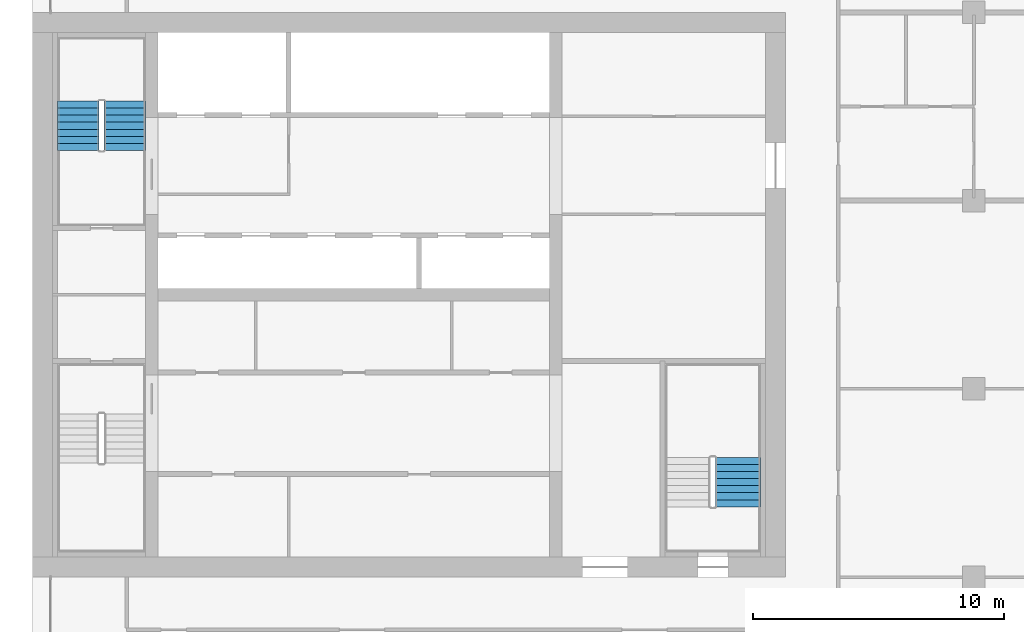
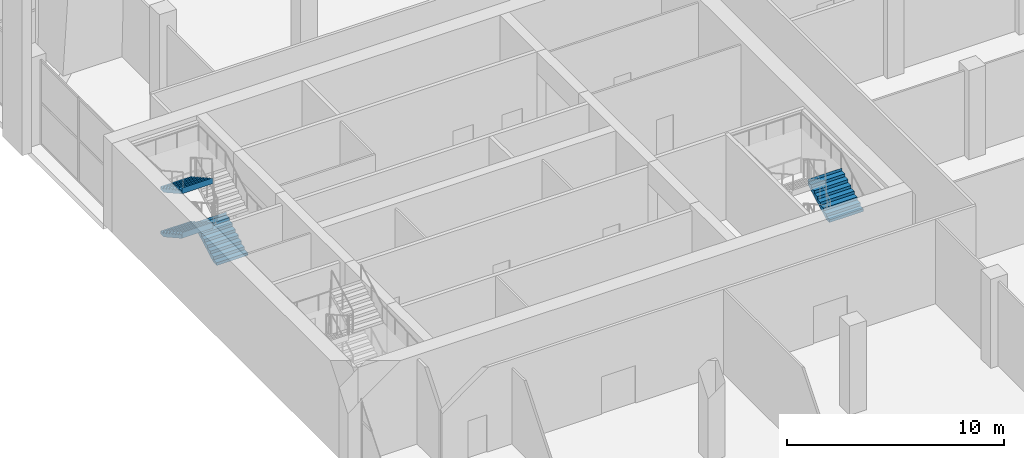
# One storey, part 15 of 19: 4 stair flights, 2 elements without a shape of their own.
"""IFC4 building model written with IfcOpenShell, lengths in metres."""

from ifc_helpers import new_model, si_unit, direction, frame, origin, place, context, subcontext, project, spatial, polyline, outline, extrude, material, type_object, element, aggregate, save


model = new_model("IFC4")

# Units and contexts
model_context = context("Model", 3, precision=1e-05, world=origin(), true_north=direction((0.0, 1.0)))
body_context = subcontext(model_context, "Body", "Model", "MODEL_VIEW")
ifc_project = project(units=[si_unit("LENGTHUNIT", "METRE"), si_unit("AREAUNIT", "SQUARE_METRE"), si_unit("VOLUMEUNIT", "CUBIC_METRE"), si_unit("PLANEANGLEUNIT", "RADIAN"), si_unit("MASSUNIT", "GRAM", prefix="KILO")], contexts=[model_context])

# Site, building, storey
site_placement = place(None, origin())
site = spatial("IfcSite", under=ifc_project, at=site_placement, CompositionType="ELEMENT")
building_placement = place(site_placement, origin())
building = spatial("IfcBuilding", under=site, at=building_placement, Name="Tamorin Gate", CompositionType="ELEMENT")
storey_placement = place(building_placement, frame((0.0, 0.0, 174.199951171875)))
storey = spatial("IfcBuildingStorey", under=building, at=storey_placement, Name="L42", CompositionType="ELEMENT", Elevation=174.199951171875)

# Stair, stair flights
ifc_material = material(Name="Concrete C40/50", Category="concrete")
stair_type = type_object("IfcStairType", Name="Exit stair", PredefinedType="HALF_TURN_STAIR", material=ifc_material)
stair_1_placement = place(storey_placement, origin())
stair_1 = element("IfcStair", 1, at=stair_1_placement, inside=storey, type_object=stair_type, Name="L42 stair ST2", PredefinedType="HALF_TURN_STAIR")
stair_flight_type = type_object("IfcStairFlightType", Name="Exit stair flight", PredefinedType="STRAIGHT", material=ifc_material)
stair_flight_1_placement = place(storey_placement, frame((33.675048828125, 77.0, 0.0), z_axis=(0.0, 0.0, 1.0), x_axis=(0.0, 1.0, 0.0)))
stair_flight_1 = element("IfcStairFlight", 2, at=stair_flight_1_placement, type_object=stair_flight_type, Name="ST2 flight 1", NumberOfRisers=8, NumberOfTreads=7, PredefinedType="STRAIGHT", RiserHeight=0.15625, TreadLength=0.28, context=body_context, shape_type="SweptSolid", body=[
    extrude(outline(polyline([(-0.00048828125, 0.0), (-0.00048828125, 0.00146484375), (-0.00048828125, 0.003173828125), (-0.00048828125, 0.004638671875), (-0.00048828125, 0.006103515625), (-0.00048828125, 0.0078125), (-0.00048828125, 0.00927734375), (-0.00048828125, 0.0107421875), (-0.00048828125, 0.012451171875), (-0.00048828125, 0.013916015625), (-0.00048828125, 0.015380859375), (-0.00048828125, 0.01708984375), (-0.00048828125, 0.0185546875), (-0.00048828125, 0.02001953125), (-0.00048828125, 0.021728515625), (-0.00048828125, 0.023193359375), (-0.00048828125, 0.024658203125), (-0.00048828125, 0.0263671875), (-0.00048828125, 0.02783203125), (-0.00048828125, 0.029296875), (-0.00048828125, 0.031005859375), (-0.00048828125, 0.032470703125), (-0.00048828125, 0.033935546875), (-0.00048828125, 0.03564453125), (-0.00048828125, 0.037109375), (-0.00048828125, 0.03857421875), (-0.00048828125, 0.040283203125), (-0.00048828125, 0.041748046875), (-0.00048828125, 0.043212890625), (-0.00048828125, 0.044921875), (-0.00048828125, 0.04638671875), (-0.00048828125, 0.0478515625), (-0.00048828125, 0.049560546875), (-0.00048828125, 0.051025390625), (-0.00048828125, 0.052490234375), (-0.00048828125, 0.05419921875), (-0.00048828125, 0.0556640625), (-0.00048828125, 0.05712890625), (-0.00048828125, 0.058837890625), (-0.00048828125, 0.060302734375), (-0.00048828125, 0.061767578125), (-0.00048828125, 0.0634765625), (-0.00048828125, 0.06494140625), (-0.00048828125, 0.06640625), (-0.00048828125, 0.068115234375), (-0.00048828125, 0.069580078125), (-0.00048828125, 0.071044921875), (-0.00048828125, 0.07275390625), (-0.00048828125, 0.07421875), (-0.00048828125, 0.07568359375), (-0.00048828125, 0.077392578125), (-0.00048828125, 0.078857421875), (-0.00048828125, 0.08056640625), (-0.00048828125, 0.08203125), (-0.00048828125, 0.08349609375), (-0.00048828125, 0.085205078125), (-0.00048828125, 0.086669921875), (-0.00048828125, 0.088134765625), (-0.00048828125, 0.08984375), (-0.00048828125, 0.09130859375), (-0.00048828125, 0.0927734375), (-0.00048828125, 0.094482421875), (-0.00048828125, 0.095947265625), (-0.00048828125, 0.097412109375), (-0.00048828125, 0.09912109375), (-0.00048828125, 0.1005859375), (-0.00048828125, 0.10205078125), (-0.00048828125, 0.103759765625), (-0.00048828125, 0.105224609375), (-0.00048828125, 0.106689453125), (-0.00048828125, 0.1083984375), (-0.00048828125, 0.10986328125), (-0.00048828125, 0.111328125), (-0.00048828125, 0.113037109375), (-0.00048828125, 0.114501953125), (-0.00048828125, 0.115966796875), (-0.00048828125, 0.11767578125), (-0.00048828125, 0.119140625), (-0.00048828125, 0.12060546875), (-0.00048828125, 0.122314453125), (-0.00048828125, 0.123779296875), (-0.00048828125, 0.125244140625), (-0.00048828125, 0.126953125), (-0.00048828125, 0.12841796875), (-0.00048828125, 0.1298828125), (-0.00048828125, 0.131591796875), (-0.00048828125, 0.133056640625), (-0.00048828125, 0.134521484375), (-0.00048828125, 0.13623046875), (-0.00048828125, 0.1376953125), (-0.00048828125, 0.13916015625), (-0.00048828125, 0.140869140625), (-0.00048828125, 0.142333984375), (-0.00048828125, 0.143798828125), (-0.00048828125, 0.1455078125), (-0.00048828125, 0.14697265625), (-0.00048828125, 0.1484375), (-0.00048828125, 0.150146484375), (-0.00048828125, 0.151611328125), (-0.00048828125, 0.153076171875), (-0.00048828125, 0.15478515625), (-0.00048828125, 0.15625), (0.280029296875, 0.15625), (0.280029296875, 0.3125), (0.56005859375, 0.3125), (0.56005859375, 0.46875), (0.840087890625, 0.46875), (0.840087890625, 0.625), (1.1201171875, 0.625), (1.1201171875, 0.78125), (1.39990234375, 0.78125), (1.39990234375, 0.9375), (1.679931640625, 0.9375), (1.679931640625, 1.09375), (1.9599609375, 1.09375), (1.9599609375, 1.25), (1.96044921875, 1.25), (1.96044921875, 1.246826171875), (1.96044921875, 1.243408203125), (1.96044921875, 1.240234375), (1.96044921875, 1.237060546875), (1.96044921875, 1.23388671875), (1.96044921875, 1.23046875), (1.96044921875, 1.227294921875), (1.96044921875, 1.22412109375), (1.96044921875, 1.220703125), (1.96044921875, 1.217529296875), (1.96044921875, 1.21435546875), (1.96044921875, 1.2109375), (1.96044921875, 1.207763671875), (1.96044921875, 1.20458984375), (1.96044921875, 1.201416015625), (1.96044921875, 1.197998046875), (1.96044921875, 1.19482421875), (1.96044921875, 1.191650390625), (1.96044921875, 1.188232421875), (1.96044921875, 1.18505859375), (1.96044921875, 1.181884765625), (1.96044921875, 1.178466796875), (1.96044921875, 1.17529296875), (1.96044921875, 1.172119140625), (1.96044921875, 1.1689453125), (1.96044921875, 1.16552734375), (1.96044921875, 1.162353515625), (1.96044921875, 1.1591796875), (1.96044921875, 1.15576171875), (1.96044921875, 1.152587890625), (1.96044921875, 1.1494140625), (1.96044921875, 1.14599609375), (1.96044921875, 1.142822265625), (1.96044921875, 1.1396484375), (1.96044921875, 1.136474609375), (1.96044921875, 1.133056640625), (1.96044921875, 1.1298828125), (1.96044921875, 1.126708984375), (1.96044921875, 1.123291015625), (1.96044921875, 1.1201171875), (1.96044921875, 1.116943359375), (1.96044921875, 1.113525390625), (1.96044921875, 1.1103515625), (1.96044921875, 1.107177734375), (1.96044921875, 1.10400390625), (1.96044921875, 1.1005859375), (1.96044921875, 1.097412109375), (1.96044921875, 1.09423828125), (1.96044921875, 1.0908203125), (1.96044921875, 1.087646484375), (1.96044921875, 1.08447265625), (1.96044921875, 1.0810546875), (1.96044921875, 1.077880859375), (1.96044921875, 1.07470703125), (1.96044921875, 1.071533203125), (1.96044921875, 1.068115234375), (1.96044921875, 1.06494140625), (1.96044921875, 1.061767578125), (1.96044921875, 1.058349609375), (1.96044921875, 1.05517578125), (1.96044921875, 1.052001953125), (1.96044921875, 1.048828125), (1.96044921875, 1.04541015625), (1.96044921875, 1.042236328125), (1.96044921875, 1.0390625), (1.96044921875, 1.03564453125), (1.96044921875, 1.032470703125), (1.96044921875, 1.029296875), (1.96044921875, 1.02587890625), (1.96044921875, 1.022705078125), (1.96044921875, 1.01953125), (1.96044921875, 1.016357421875), (1.96044921875, 1.012939453125), (1.96044921875, 1.009765625), (1.96044921875, 1.006591796875), (1.96044921875, 1.003173828125), (1.96044921875, 1.0), (1.96044921875, 0.996826171875), (1.96044921875, 0.993408203125), (1.96044921875, 0.990234375), (1.96044921875, 0.987060546875), (1.96044921875, 0.98388671875), (1.96044921875, 0.98046875), (1.96044921875, 0.977294921875), (1.96044921875, 0.97412109375), (1.96044921875, 0.970703125), (1.96044921875, 0.967529296875), (1.96044921875, 0.96435546875), (1.96044921875, 0.9609375), (1.96044921875, 0.957763671875), (1.96044921875, 0.95458984375), (1.96044921875, 0.951416015625), (1.96044921875, 0.947998046875), (1.96044921875, 0.94482421875), (1.96044921875, 0.941650390625), (1.96044921875, 0.938232421875), (1.96044921875, 0.93505859375), (1.96044921875, 0.931884765625), (1.96044921875, 0.928466796875), (1.96044921875, 0.92529296875), (1.96044921875, 0.922119140625), (1.9599609375, 0.922119140625), (0.3076171875, 0.0), (-0.00048828125, 0.0)])), frame((0.0, 0.824951171875, 0.0), z_axis=(0.0, -1.0, 0.0), x_axis=(1.0, 0.0, 0.0)), (0.0, 0.0, 1.0), 1.64990234375),
])
stair_flight_2_placement = place(storey_placement, frame((31.824951171875, 78.9599609375, 1.25), z_axis=(0.0, 0.0, 1.0), x_axis=(0.0, -1.0, 0.0)))
stair_flight_2 = element("IfcStairFlight", 3, at=stair_flight_2_placement, type_object=stair_flight_type, Name="ST2 flight 2", NumberOfRisers=8, NumberOfTreads=7, PredefinedType="STRAIGHT", RiserHeight=0.15625, TreadLength=0.28, context=body_context, shape_type="SweptSolid", body=[
    extrude(outline(polyline([(-0.00048828125, 0.0), (-0.00048828125, 0.00146484375), (-0.00048828125, 0.003173828125), (-0.00048828125, 0.004638671875), (-0.00048828125, 0.006103515625), (-0.00048828125, 0.0078125), (-0.00048828125, 0.00927734375), (-0.00048828125, 0.0107421875), (-0.00048828125, 0.012451171875), (-0.00048828125, 0.013916015625), (-0.00048828125, 0.015380859375), (-0.00048828125, 0.01708984375), (-0.00048828125, 0.0185546875), (-0.00048828125, 0.02001953125), (-0.00048828125, 0.021728515625), (-0.00048828125, 0.023193359375), (-0.00048828125, 0.024658203125), (-0.00048828125, 0.0263671875), (-0.00048828125, 0.02783203125), (-0.00048828125, 0.029296875), (-0.00048828125, 0.031005859375), (-0.00048828125, 0.032470703125), (-0.00048828125, 0.033935546875), (-0.00048828125, 0.03564453125), (-0.00048828125, 0.037109375), (-0.00048828125, 0.03857421875), (-0.00048828125, 0.040283203125), (-0.00048828125, 0.041748046875), (-0.00048828125, 0.043212890625), (-0.00048828125, 0.044921875), (-0.00048828125, 0.04638671875), (-0.00048828125, 0.0478515625), (-0.00048828125, 0.049560546875), (-0.00048828125, 0.051025390625), (-0.00048828125, 0.052490234375), (-0.00048828125, 0.05419921875), (-0.00048828125, 0.0556640625), (-0.00048828125, 0.05712890625), (-0.00048828125, 0.058837890625), (-0.00048828125, 0.060302734375), (-0.00048828125, 0.061767578125), (-0.00048828125, 0.0634765625), (-0.00048828125, 0.06494140625), (-0.00048828125, 0.06640625), (-0.00048828125, 0.068115234375), (-0.00048828125, 0.069580078125), (-0.00048828125, 0.071044921875), (-0.00048828125, 0.07275390625), (-0.00048828125, 0.07421875), (-0.00048828125, 0.07568359375), (-0.00048828125, 0.077392578125), (-0.00048828125, 0.078857421875), (-0.00048828125, 0.08056640625), (-0.00048828125, 0.08203125), (-0.00048828125, 0.08349609375), (-0.00048828125, 0.085205078125), (-0.00048828125, 0.086669921875), (-0.00048828125, 0.088134765625), (-0.00048828125, 0.08984375), (-0.00048828125, 0.09130859375), (-0.00048828125, 0.0927734375), (-0.00048828125, 0.094482421875), (-0.00048828125, 0.095947265625), (-0.00048828125, 0.097412109375), (-0.00048828125, 0.09912109375), (-0.00048828125, 0.1005859375), (-0.00048828125, 0.10205078125), (-0.00048828125, 0.103759765625), (-0.00048828125, 0.105224609375), (-0.00048828125, 0.106689453125), (-0.00048828125, 0.1083984375), (-0.00048828125, 0.10986328125), (-0.00048828125, 0.111328125), (-0.00048828125, 0.113037109375), (-0.00048828125, 0.114501953125), (-0.00048828125, 0.115966796875), (-0.00048828125, 0.11767578125), (-0.00048828125, 0.119140625), (-0.00048828125, 0.12060546875), (-0.00048828125, 0.122314453125), (-0.00048828125, 0.123779296875), (-0.00048828125, 0.125244140625), (-0.00048828125, 0.126953125), (-0.00048828125, 0.12841796875), (-0.00048828125, 0.1298828125), (-0.00048828125, 0.131591796875), (-0.00048828125, 0.133056640625), (-0.00048828125, 0.134521484375), (-0.00048828125, 0.13623046875), (-0.00048828125, 0.1376953125), (-0.00048828125, 0.13916015625), (-0.00048828125, 0.140869140625), (-0.00048828125, 0.142333984375), (-0.00048828125, 0.143798828125), (-0.00048828125, 0.1455078125), (-0.00048828125, 0.14697265625), (-0.00048828125, 0.1484375), (-0.00048828125, 0.150146484375), (-0.00048828125, 0.151611328125), (-0.00048828125, 0.153076171875), (-0.00048828125, 0.15478515625), (-0.00048828125, 0.15625), (0.280029296875, 0.15625), (0.280029296875, 0.3125), (0.56005859375, 0.3125), (0.56005859375, 0.46875), (0.840087890625, 0.46875), (0.840087890625, 0.625), (1.1201171875, 0.625), (1.1201171875, 0.78125), (1.39990234375, 0.78125), (1.39990234375, 0.9375), (1.679931640625, 0.9375), (1.679931640625, 1.09375), (1.9599609375, 1.09375), (1.9599609375, 1.25), (1.96044921875, 1.25), (1.96044921875, 1.246826171875), (1.96044921875, 1.243408203125), (1.96044921875, 1.240234375), (1.96044921875, 1.237060546875), (1.96044921875, 1.23388671875), (1.96044921875, 1.23046875), (1.96044921875, 1.227294921875), (1.96044921875, 1.22412109375), (1.96044921875, 1.220703125), (1.96044921875, 1.217529296875), (1.96044921875, 1.21435546875), (1.96044921875, 1.2109375), (1.96044921875, 1.207763671875), (1.96044921875, 1.20458984375), (1.96044921875, 1.201416015625), (1.96044921875, 1.197998046875), (1.96044921875, 1.19482421875), (1.96044921875, 1.191650390625), (1.96044921875, 1.188232421875), (1.96044921875, 1.18505859375), (1.96044921875, 1.181884765625), (1.96044921875, 1.178466796875), (1.96044921875, 1.17529296875), (1.96044921875, 1.172119140625), (1.96044921875, 1.1689453125), (1.96044921875, 1.16552734375), (1.96044921875, 1.162353515625), (1.96044921875, 1.1591796875), (1.96044921875, 1.15576171875), (1.96044921875, 1.152587890625), (1.96044921875, 1.1494140625), (1.96044921875, 1.14599609375), (1.96044921875, 1.142822265625), (1.96044921875, 1.1396484375), (1.96044921875, 1.136474609375), (1.96044921875, 1.133056640625), (1.96044921875, 1.1298828125), (1.96044921875, 1.126708984375), (1.96044921875, 1.123291015625), (1.96044921875, 1.1201171875), (1.96044921875, 1.116943359375), (1.96044921875, 1.113525390625), (1.96044921875, 1.1103515625), (1.96044921875, 1.107177734375), (1.96044921875, 1.10400390625), (1.96044921875, 1.1005859375), (1.96044921875, 1.097412109375), (1.96044921875, 1.09423828125), (1.96044921875, 1.0908203125), (1.96044921875, 1.087646484375), (1.96044921875, 1.08447265625), (1.96044921875, 1.0810546875), (1.96044921875, 1.077880859375), (1.96044921875, 1.07470703125), (1.96044921875, 1.071533203125), (1.96044921875, 1.068115234375), (1.96044921875, 1.06494140625), (1.96044921875, 1.061767578125), (1.96044921875, 1.058349609375), (1.96044921875, 1.05517578125), (1.96044921875, 1.052001953125), (1.96044921875, 1.048828125), (1.96044921875, 1.04541015625), (1.96044921875, 1.042236328125), (1.96044921875, 1.0390625), (1.96044921875, 1.03564453125), (1.96044921875, 1.032470703125), (1.96044921875, 1.029296875), (1.96044921875, 1.02587890625), (1.96044921875, 1.022705078125), (1.96044921875, 1.01953125), (1.96044921875, 1.016357421875), (1.96044921875, 1.012939453125), (1.96044921875, 1.009765625), (1.96044921875, 1.006591796875), (1.96044921875, 1.003173828125), (1.96044921875, 1.0), (1.96044921875, 0.996826171875), (1.96044921875, 0.993408203125), (1.96044921875, 0.990234375), (1.96044921875, 0.987060546875), (1.96044921875, 0.98388671875), (1.96044921875, 0.98046875), (1.96044921875, 0.977294921875), (1.96044921875, 0.97412109375), (1.96044921875, 0.970703125), (1.96044921875, 0.967529296875), (1.96044921875, 0.96435546875), (1.96044921875, 0.9609375), (1.96044921875, 0.957763671875), (1.96044921875, 0.95458984375), (1.96044921875, 0.951416015625), (1.96044921875, 0.947998046875), (1.96044921875, 0.94482421875), (1.96044921875, 0.941650390625), (1.96044921875, 0.938232421875), (1.96044921875, 0.93505859375), (1.96044921875, 0.931884765625), (1.96044921875, 0.928466796875), (1.96044921875, 0.92529296875), (1.96044921875, 0.922119140625), (1.9599609375, 0.922119140625), (0.3076171875, 0.0), (-0.00048828125, 0.0)])), frame((0.0, 0.824951171875, 0.0), z_axis=(0.0, -1.0, 0.0), x_axis=(1.0, 0.0, 0.0)), (0.0, 0.0, 1.0), 1.64990234375),
])
stair_flight_3_placement = place(storey_placement, frame((31.824951171875, 78.9599609375, 3.75), z_axis=(0.0, 0.0, 1.0), x_axis=(0.0, -1.0, 0.0)))
stair_flight_3 = element("IfcStairFlight", 4, at=stair_flight_3_placement, type_object=stair_flight_type, Name="ST2 flight 4", NumberOfRisers=8, NumberOfTreads=7, PredefinedType="STRAIGHT", RiserHeight=0.15625, TreadLength=0.28, context=body_context, shape_type="SweptSolid", body=[
    extrude(outline(polyline([(-0.00048828125, 0.0), (-0.00048828125, 0.00146484375), (-0.00048828125, 0.003173828125), (-0.00048828125, 0.004638671875), (-0.00048828125, 0.006103515625), (-0.00048828125, 0.0078125), (-0.00048828125, 0.00927734375), (-0.00048828125, 0.0107421875), (-0.00048828125, 0.012451171875), (-0.00048828125, 0.013916015625), (-0.00048828125, 0.015380859375), (-0.00048828125, 0.01708984375), (-0.00048828125, 0.0185546875), (-0.00048828125, 0.02001953125), (-0.00048828125, 0.021728515625), (-0.00048828125, 0.023193359375), (-0.00048828125, 0.024658203125), (-0.00048828125, 0.0263671875), (-0.00048828125, 0.02783203125), (-0.00048828125, 0.029296875), (-0.00048828125, 0.031005859375), (-0.00048828125, 0.032470703125), (-0.00048828125, 0.033935546875), (-0.00048828125, 0.03564453125), (-0.00048828125, 0.037109375), (-0.00048828125, 0.03857421875), (-0.00048828125, 0.040283203125), (-0.00048828125, 0.041748046875), (-0.00048828125, 0.043212890625), (-0.00048828125, 0.044921875), (-0.00048828125, 0.04638671875), (-0.00048828125, 0.0478515625), (-0.00048828125, 0.049560546875), (-0.00048828125, 0.051025390625), (-0.00048828125, 0.052490234375), (-0.00048828125, 0.05419921875), (-0.00048828125, 0.0556640625), (-0.00048828125, 0.05712890625), (-0.00048828125, 0.058837890625), (-0.00048828125, 0.060302734375), (-0.00048828125, 0.061767578125), (-0.00048828125, 0.0634765625), (-0.00048828125, 0.06494140625), (-0.00048828125, 0.06640625), (-0.00048828125, 0.068115234375), (-0.00048828125, 0.069580078125), (-0.00048828125, 0.071044921875), (-0.00048828125, 0.07275390625), (-0.00048828125, 0.07421875), (-0.00048828125, 0.07568359375), (-0.00048828125, 0.077392578125), (-0.00048828125, 0.078857421875), (-0.00048828125, 0.08056640625), (-0.00048828125, 0.08203125), (-0.00048828125, 0.08349609375), (-0.00048828125, 0.085205078125), (-0.00048828125, 0.086669921875), (-0.00048828125, 0.088134765625), (-0.00048828125, 0.08984375), (-0.00048828125, 0.09130859375), (-0.00048828125, 0.0927734375), (-0.00048828125, 0.094482421875), (-0.00048828125, 0.095947265625), (-0.00048828125, 0.097412109375), (-0.00048828125, 0.09912109375), (-0.00048828125, 0.1005859375), (-0.00048828125, 0.10205078125), (-0.00048828125, 0.103759765625), (-0.00048828125, 0.105224609375), (-0.00048828125, 0.106689453125), (-0.00048828125, 0.1083984375), (-0.00048828125, 0.10986328125), (-0.00048828125, 0.111328125), (-0.00048828125, 0.113037109375), (-0.00048828125, 0.114501953125), (-0.00048828125, 0.115966796875), (-0.00048828125, 0.11767578125), (-0.00048828125, 0.119140625), (-0.00048828125, 0.12060546875), (-0.00048828125, 0.122314453125), (-0.00048828125, 0.123779296875), (-0.00048828125, 0.125244140625), (-0.00048828125, 0.126953125), (-0.00048828125, 0.12841796875), (-0.00048828125, 0.1298828125), (-0.00048828125, 0.131591796875), (-0.00048828125, 0.133056640625), (-0.00048828125, 0.134521484375), (-0.00048828125, 0.13623046875), (-0.00048828125, 0.1376953125), (-0.00048828125, 0.13916015625), (-0.00048828125, 0.140869140625), (-0.00048828125, 0.142333984375), (-0.00048828125, 0.143798828125), (-0.00048828125, 0.1455078125), (-0.00048828125, 0.14697265625), (-0.00048828125, 0.1484375), (-0.00048828125, 0.150146484375), (-0.00048828125, 0.151611328125), (-0.00048828125, 0.153076171875), (-0.00048828125, 0.15478515625), (-0.00048828125, 0.15625), (0.280029296875, 0.15625), (0.280029296875, 0.3125), (0.56005859375, 0.3125), (0.56005859375, 0.46875), (0.840087890625, 0.46875), (0.840087890625, 0.625), (1.1201171875, 0.625), (1.1201171875, 0.78125), (1.39990234375, 0.78125), (1.39990234375, 0.9375), (1.679931640625, 0.9375), (1.679931640625, 1.09375), (1.9599609375, 1.09375), (1.9599609375, 1.25), (1.96044921875, 1.25), (1.96044921875, 1.246826171875), (1.96044921875, 1.243408203125), (1.96044921875, 1.240234375), (1.96044921875, 1.237060546875), (1.96044921875, 1.23388671875), (1.96044921875, 1.23046875), (1.96044921875, 1.227294921875), (1.96044921875, 1.22412109375), (1.96044921875, 1.220703125), (1.96044921875, 1.217529296875), (1.96044921875, 1.21435546875), (1.96044921875, 1.2109375), (1.96044921875, 1.207763671875), (1.96044921875, 1.20458984375), (1.96044921875, 1.201416015625), (1.96044921875, 1.197998046875), (1.96044921875, 1.19482421875), (1.96044921875, 1.191650390625), (1.96044921875, 1.188232421875), (1.96044921875, 1.18505859375), (1.96044921875, 1.181884765625), (1.96044921875, 1.178466796875), (1.96044921875, 1.17529296875), (1.96044921875, 1.172119140625), (1.96044921875, 1.1689453125), (1.96044921875, 1.16552734375), (1.96044921875, 1.162353515625), (1.96044921875, 1.1591796875), (1.96044921875, 1.15576171875), (1.96044921875, 1.152587890625), (1.96044921875, 1.1494140625), (1.96044921875, 1.14599609375), (1.96044921875, 1.142822265625), (1.96044921875, 1.1396484375), (1.96044921875, 1.136474609375), (1.96044921875, 1.133056640625), (1.96044921875, 1.1298828125), (1.96044921875, 1.126708984375), (1.96044921875, 1.123291015625), (1.96044921875, 1.1201171875), (1.96044921875, 1.116943359375), (1.96044921875, 1.113525390625), (1.96044921875, 1.1103515625), (1.96044921875, 1.107177734375), (1.96044921875, 1.10400390625), (1.96044921875, 1.1005859375), (1.96044921875, 1.097412109375), (1.96044921875, 1.09423828125), (1.96044921875, 1.0908203125), (1.96044921875, 1.087646484375), (1.96044921875, 1.08447265625), (1.96044921875, 1.0810546875), (1.96044921875, 1.077880859375), (1.96044921875, 1.07470703125), (1.96044921875, 1.071533203125), (1.96044921875, 1.068115234375), (1.96044921875, 1.06494140625), (1.96044921875, 1.061767578125), (1.96044921875, 1.058349609375), (1.96044921875, 1.05517578125), (1.96044921875, 1.052001953125), (1.96044921875, 1.048828125), (1.96044921875, 1.04541015625), (1.96044921875, 1.042236328125), (1.96044921875, 1.0390625), (1.96044921875, 1.03564453125), (1.96044921875, 1.032470703125), (1.96044921875, 1.029296875), (1.96044921875, 1.02587890625), (1.96044921875, 1.022705078125), (1.96044921875, 1.01953125), (1.96044921875, 1.016357421875), (1.96044921875, 1.012939453125), (1.96044921875, 1.009765625), (1.96044921875, 1.006591796875), (1.96044921875, 1.003173828125), (1.96044921875, 1.0), (1.96044921875, 0.996826171875), (1.96044921875, 0.993408203125), (1.96044921875, 0.990234375), (1.96044921875, 0.987060546875), (1.96044921875, 0.98388671875), (1.96044921875, 0.98046875), (1.96044921875, 0.977294921875), (1.96044921875, 0.97412109375), (1.96044921875, 0.970703125), (1.96044921875, 0.967529296875), (1.96044921875, 0.96435546875), (1.96044921875, 0.9609375), (1.96044921875, 0.957763671875), (1.96044921875, 0.95458984375), (1.96044921875, 0.951416015625), (1.96044921875, 0.947998046875), (1.96044921875, 0.94482421875), (1.96044921875, 0.941650390625), (1.96044921875, 0.938232421875), (1.96044921875, 0.93505859375), (1.96044921875, 0.931884765625), (1.96044921875, 0.928466796875), (1.96044921875, 0.92529296875), (1.96044921875, 0.922119140625), (1.9599609375, 0.922119140625), (0.3076171875, 0.0), (-0.00048828125, 0.0)])), frame((0.0, 0.824951171875, 0.0), z_axis=(0.0, -1.0, 0.0), x_axis=(1.0, 0.0, 0.0)), (0.0, 0.0, 1.0), 1.64990234375),
])
aggregate(stair_1, [stair_flight_1, stair_flight_2, stair_flight_3])

# Stair, stair flight
stair_2_placement = place(storey_placement, origin())
stair_2 = element("IfcStair", 5, at=stair_2_placement, inside=storey, type_object=stair_type, Name="L42 stair ST3", PredefinedType="HALF_TURN_STAIR")
stair_flight_4_placement = place(storey_placement, frame((58.10009765625, 62.800048828125, 2.5), z_axis=(0.0, 0.0, 1.0), x_axis=(0.0, 1.0, 0.0)))
stair_flight_4 = element("IfcStairFlight", 6, at=stair_flight_4_placement, type_object=stair_flight_type, Name="ST3 flight 3", NumberOfRisers=8, NumberOfTreads=7, PredefinedType="STRAIGHT", RiserHeight=0.15625, TreadLength=0.28, context=body_context, shape_type="SweptSolid", body=[
    extrude(outline(polyline([(-0.00048828125, 0.0), (-0.00048828125, 0.00146484375), (-0.00048828125, 0.003173828125), (-0.00048828125, 0.004638671875), (-0.00048828125, 0.006103515625), (-0.00048828125, 0.0078125), (-0.00048828125, 0.00927734375), (-0.00048828125, 0.0107421875), (-0.00048828125, 0.012451171875), (-0.00048828125, 0.013916015625), (-0.00048828125, 0.015380859375), (-0.00048828125, 0.01708984375), (-0.00048828125, 0.0185546875), (-0.00048828125, 0.02001953125), (-0.00048828125, 0.021728515625), (-0.00048828125, 0.023193359375), (-0.00048828125, 0.024658203125), (-0.00048828125, 0.0263671875), (-0.00048828125, 0.02783203125), (-0.00048828125, 0.029296875), (-0.00048828125, 0.031005859375), (-0.00048828125, 0.032470703125), (-0.00048828125, 0.033935546875), (-0.00048828125, 0.03564453125), (-0.00048828125, 0.037109375), (-0.00048828125, 0.03857421875), (-0.00048828125, 0.040283203125), (-0.00048828125, 0.041748046875), (-0.00048828125, 0.043212890625), (-0.00048828125, 0.044921875), (-0.00048828125, 0.04638671875), (-0.00048828125, 0.0478515625), (-0.00048828125, 0.049560546875), (-0.00048828125, 0.051025390625), (-0.00048828125, 0.052490234375), (-0.00048828125, 0.05419921875), (-0.00048828125, 0.0556640625), (-0.00048828125, 0.05712890625), (-0.00048828125, 0.058837890625), (-0.00048828125, 0.060302734375), (-0.00048828125, 0.061767578125), (-0.00048828125, 0.0634765625), (-0.00048828125, 0.06494140625), (-0.00048828125, 0.06640625), (-0.00048828125, 0.068115234375), (-0.00048828125, 0.069580078125), (-0.00048828125, 0.071044921875), (-0.00048828125, 0.07275390625), (-0.00048828125, 0.07421875), (-0.00048828125, 0.07568359375), (-0.00048828125, 0.077392578125), (-0.00048828125, 0.078857421875), (-0.00048828125, 0.08056640625), (-0.00048828125, 0.08203125), (-0.00048828125, 0.08349609375), (-0.00048828125, 0.085205078125), (-0.00048828125, 0.086669921875), (-0.00048828125, 0.088134765625), (-0.00048828125, 0.08984375), (-0.00048828125, 0.09130859375), (-0.00048828125, 0.0927734375), (-0.00048828125, 0.094482421875), (-0.00048828125, 0.095947265625), (-0.00048828125, 0.097412109375), (-0.00048828125, 0.09912109375), (-0.00048828125, 0.1005859375), (-0.00048828125, 0.10205078125), (-0.00048828125, 0.103759765625), (-0.00048828125, 0.105224609375), (-0.00048828125, 0.106689453125), (-0.00048828125, 0.1083984375), (-0.00048828125, 0.10986328125), (-0.00048828125, 0.111328125), (-0.00048828125, 0.113037109375), (-0.00048828125, 0.114501953125), (-0.00048828125, 0.115966796875), (-0.00048828125, 0.11767578125), (-0.00048828125, 0.119140625), (-0.00048828125, 0.12060546875), (-0.00048828125, 0.122314453125), (-0.00048828125, 0.123779296875), (-0.00048828125, 0.125244140625), (-0.00048828125, 0.126953125), (-0.00048828125, 0.12841796875), (-0.00048828125, 0.1298828125), (-0.00048828125, 0.131591796875), (-0.00048828125, 0.133056640625), (-0.00048828125, 0.134521484375), (-0.00048828125, 0.13623046875), (-0.00048828125, 0.1376953125), (-0.00048828125, 0.13916015625), (-0.00048828125, 0.140869140625), (-0.00048828125, 0.142333984375), (-0.00048828125, 0.143798828125), (-0.00048828125, 0.1455078125), (-0.00048828125, 0.14697265625), (-0.00048828125, 0.1484375), (-0.00048828125, 0.150146484375), (-0.00048828125, 0.151611328125), (-0.00048828125, 0.153076171875), (-0.00048828125, 0.15478515625), (-0.00048828125, 0.15625), (0.280029296875, 0.15625), (0.280029296875, 0.3125), (0.56005859375, 0.3125), (0.56005859375, 0.46875), (0.840087890625, 0.46875), (0.840087890625, 0.625), (1.1201171875, 0.625), (1.1201171875, 0.78125), (1.39990234375, 0.78125), (1.39990234375, 0.9375), (1.679931640625, 0.9375), (1.679931640625, 1.09375), (1.9599609375, 1.09375), (1.9599609375, 1.25), (1.96044921875, 1.25), (1.96044921875, 1.246826171875), (1.96044921875, 1.243408203125), (1.96044921875, 1.240234375), (1.96044921875, 1.237060546875), (1.96044921875, 1.23388671875), (1.96044921875, 1.23046875), (1.96044921875, 1.227294921875), (1.96044921875, 1.22412109375), (1.96044921875, 1.220703125), (1.96044921875, 1.217529296875), (1.96044921875, 1.21435546875), (1.96044921875, 1.2109375), (1.96044921875, 1.207763671875), (1.96044921875, 1.20458984375), (1.96044921875, 1.201416015625), (1.96044921875, 1.197998046875), (1.96044921875, 1.19482421875), (1.96044921875, 1.191650390625), (1.96044921875, 1.188232421875), (1.96044921875, 1.18505859375), (1.96044921875, 1.181884765625), (1.96044921875, 1.178466796875), (1.96044921875, 1.17529296875), (1.96044921875, 1.172119140625), (1.96044921875, 1.1689453125), (1.96044921875, 1.16552734375), (1.96044921875, 1.162353515625), (1.96044921875, 1.1591796875), (1.96044921875, 1.15576171875), (1.96044921875, 1.152587890625), (1.96044921875, 1.1494140625), (1.96044921875, 1.14599609375), (1.96044921875, 1.142822265625), (1.96044921875, 1.1396484375), (1.96044921875, 1.136474609375), (1.96044921875, 1.133056640625), (1.96044921875, 1.1298828125), (1.96044921875, 1.126708984375), (1.96044921875, 1.123291015625), (1.96044921875, 1.1201171875), (1.96044921875, 1.116943359375), (1.96044921875, 1.113525390625), (1.96044921875, 1.1103515625), (1.96044921875, 1.107177734375), (1.96044921875, 1.10400390625), (1.96044921875, 1.1005859375), (1.96044921875, 1.097412109375), (1.96044921875, 1.09423828125), (1.96044921875, 1.0908203125), (1.96044921875, 1.087646484375), (1.96044921875, 1.08447265625), (1.96044921875, 1.0810546875), (1.96044921875, 1.077880859375), (1.96044921875, 1.07470703125), (1.96044921875, 1.071533203125), (1.96044921875, 1.068115234375), (1.96044921875, 1.06494140625), (1.96044921875, 1.061767578125), (1.96044921875, 1.058349609375), (1.96044921875, 1.05517578125), (1.96044921875, 1.052001953125), (1.96044921875, 1.048828125), (1.96044921875, 1.04541015625), (1.96044921875, 1.042236328125), (1.96044921875, 1.0390625), (1.96044921875, 1.03564453125), (1.96044921875, 1.032470703125), (1.96044921875, 1.029296875), (1.96044921875, 1.02587890625), (1.96044921875, 1.022705078125), (1.96044921875, 1.01953125), (1.96044921875, 1.016357421875), (1.96044921875, 1.012939453125), (1.96044921875, 1.009765625), (1.96044921875, 1.006591796875), (1.96044921875, 1.003173828125), (1.96044921875, 1.0), (1.96044921875, 0.996826171875), (1.96044921875, 0.993408203125), (1.96044921875, 0.990234375), (1.96044921875, 0.987060546875), (1.96044921875, 0.98388671875), (1.96044921875, 0.98046875), (1.96044921875, 0.977294921875), (1.96044921875, 0.97412109375), (1.96044921875, 0.970703125), (1.96044921875, 0.967529296875), (1.96044921875, 0.96435546875), (1.96044921875, 0.9609375), (1.96044921875, 0.957763671875), (1.96044921875, 0.95458984375), (1.96044921875, 0.951416015625), (1.96044921875, 0.947998046875), (1.96044921875, 0.94482421875), (1.96044921875, 0.941650390625), (1.96044921875, 0.938232421875), (1.96044921875, 0.93505859375), (1.96044921875, 0.931884765625), (1.96044921875, 0.928466796875), (1.96044921875, 0.92529296875), (1.96044921875, 0.922119140625), (1.9599609375, 0.922119140625), (0.3076171875, 0.0), (-0.00048828125, 0.0)])), frame((0.0, 0.89990234375, 0.0), z_axis=(0.0, -1.0, 0.0), x_axis=(1.0, 0.0, 0.0)), (0.0, 0.0, 1.0), 1.800048828125),
])
aggregate(stair_2, [stair_flight_4])

save(model, "model.ifc")
